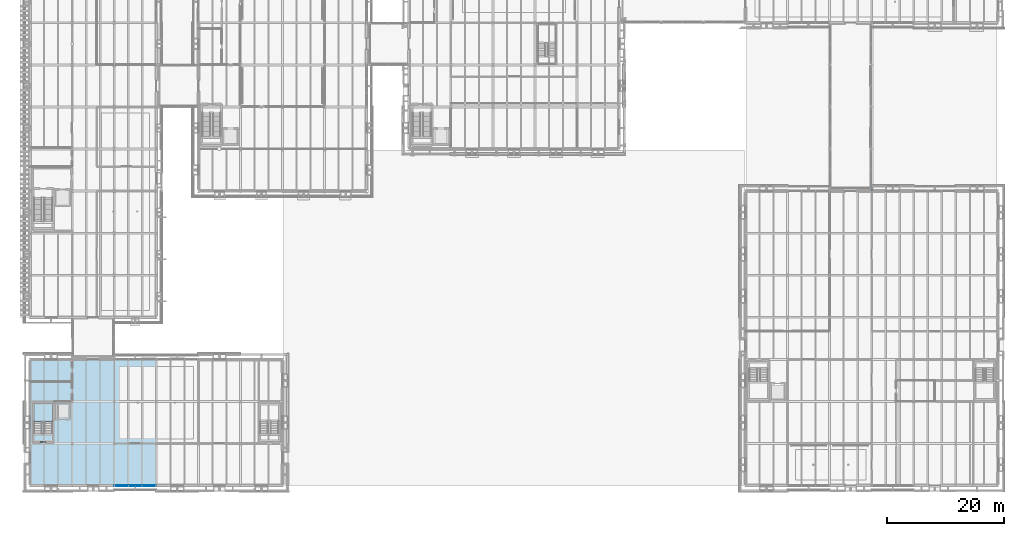
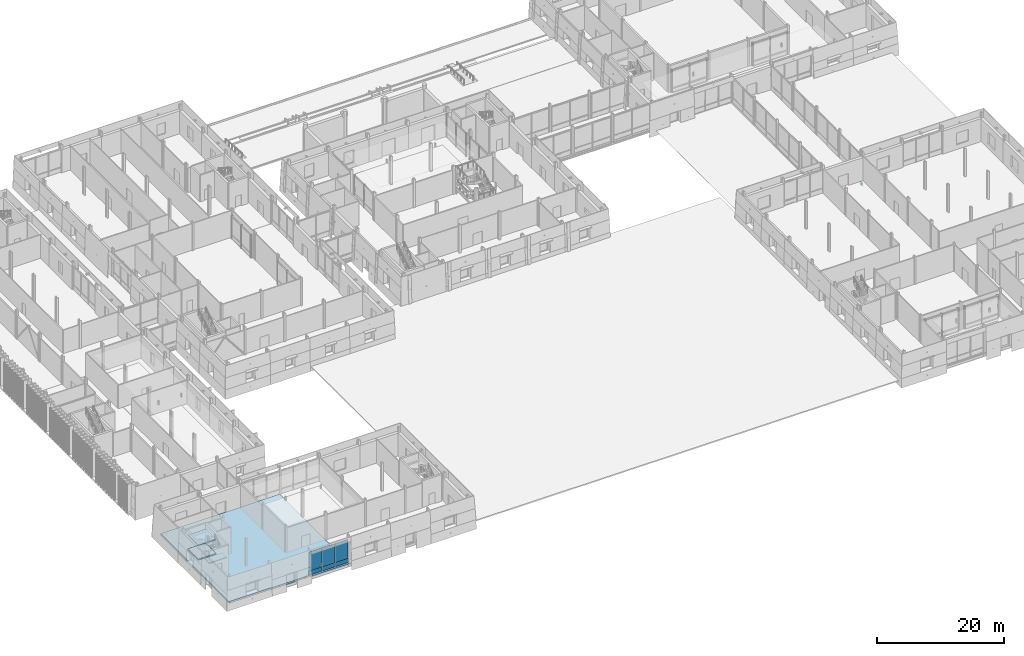
# One storey, part 45 of 120: 6 plates, 4 slabs, 1 beam, 2 elements without a shape of their own.
"""IFC4 building model written with IfcOpenShell, lengths in metres."""

from ifc_helpers import new_model, si_unit, direction, frame, origin, origin_2d, place, context, subcontext, project, spatial, polyline, rectangle, i_section, outline, extrude, material, layer, layer_set, material_profile, profile_set, type_object, element, aggregate, save


model = new_model("IFC4")

# Units and contexts
model_context = context("Model", 3, precision=1e-05, world=origin(), true_north=direction((0.0, 1.0)))
body_context = subcontext(model_context, "Body", "Model", "MODEL_VIEW")
ifc_project = project(units=[si_unit("LENGTHUNIT", "METRE"), si_unit("AREAUNIT", "SQUARE_METRE"), si_unit("VOLUMEUNIT", "CUBIC_METRE"), si_unit("PLANEANGLEUNIT", "RADIAN"), si_unit("MASSUNIT", "GRAM", prefix="KILO")], contexts=[model_context])

# Site, building, storey
site_placement = place(None, origin())
site = spatial("IfcSite", under=ifc_project, at=site_placement, CompositionType="ELEMENT")
building_placement = place(site_placement, origin())
building = spatial("IfcBuilding", under=site, at=building_placement, Name="Narikvali Park Central Library", CompositionType="ELEMENT")
storey_placement = place(building_placement, origin())
storey = spatial("IfcBuildingStorey", under=building, at=storey_placement, Name="L00", CompositionType="ELEMENT", Elevation=0.0)

# Beam
ifc_material_1 = material(Name="Steel S355", Category="steel")
ifc_material_profile = material_profile(ifc_material_1, i_section(OverallWidth=0.300048828125, OverallDepth=0.449951171875, WebThickness=0.013916015625, FlangeThickness=0.02587890625, FilletRadius=0.027099609375, at=origin_2d()), Name="HEB 450")
ifc_profile_set = profile_set([ifc_material_profile], Name="Steel S355")
beam_type = type_object("IfcBeamType", Name="Bridge Sliding Corbel Seat HEB450", PredefinedType="BEAM", material=ifc_profile_set)
beam_placement = place(storey_placement, frame((144.0, 50.39990234375, -0.9150390625), z_axis=(0.0, 1.0, 0.0), x_axis=(-1.0, 0.0, 0.0)))
element("IfcBeam", 1, at=beam_placement, inside=storey, type_object=beam_type, Name="BRG-4 L00 Bridge Sliding Corbel Seat 650 2", PredefinedType="BEAM", context=body_context, shape_type="SweptSolid", body=[
    extrude(i_section(OverallWidth=0.300048828125, OverallDepth=0.449951171875, WebThickness=0.013916015625, FlangeThickness=0.02587890625, FilletRadius=0.027099609375, at=origin_2d()), origin(), (0.0, 0.0, 1.0), 0.650146484375),
])

# Curtain wall, plates
ifc_material_2 = material(Name="Anodised Bronze Aluminium", Category="aluminium")
ifc_layer_1 = layer(ifc_material_2, 0.219970703125, Name="Anodised Bronze Aluminium")
ifc_layer_set_1 = layer_set([ifc_layer_1], Name="Anodised Bronze Aluminium")
curtain_wall_type = type_object("IfcCurtainWallType", Name="Atrium Tall Curtain Wall System", PredefinedType="NOTDEFINED", material=ifc_layer_set_1)
curtain_wall_placement = place(storey_placement, origin())
curtain_wall = element("IfcCurtainWall", 2, at=curtain_wall_placement, inside=storey, type_object=curtain_wall_type, Name="Atrium Tall Curtain Wall System CW-V2-L00-S-03", PredefinedType="NOTDEFINED")
ifc_material_3 = material(Name="Anodised Bronze Acoustic Spandrel Cassette")
ifc_layer_2 = layer(ifc_material_3, 0.1650390625, Name="Anodised Bronze Acoustic Spandrel Cassette")
ifc_layer_set_2 = layer_set([ifc_layer_2], Name="Anodised Bronze Acoustic Spandrel Cassette")
plate_type_1 = type_object("IfcPlateType", Name="Curtain Wall Acoustic Plenum Louvre Cassette 165", PredefinedType="CURTAIN_PANEL", material=ifc_layer_set_2)
plate_1_placement = place(storey_placement, frame((20.374755859375, 0.0, 0.03515625), z_axis=(0.0, 0.0, 1.0), x_axis=(1.0, 0.0, 0.0)))
plate_1 = element("IfcPlate", 3, at=plate_1_placement, type_object=plate_type_1, Name="CW-V2-L00-S-03 Panel 02-0", PredefinedType="CURTAIN_PANEL", context=body_context, shape_type="SweptSolid", body=[
    extrude(rectangle(XDim=2.36474609375, YDim=0.1650390625, at=origin_2d()), origin(), (0.0, 0.0, 1.0), 0.860107421875),
])
ifc_material_4 = material(Name="Anodised Bronze Insulated Spandrel Cassette")
ifc_layer_3 = layer(ifc_material_4, 0.110107421875, Name="Anodised Bronze Insulated Spandrel Cassette")
ifc_layer_set_3 = layer_set([ifc_layer_3], Name="Anodised Bronze Insulated Spandrel Cassette")
plate_type_2 = type_object("IfcPlateType", Name="Curtain Wall Insulated Bronze Spandrel Cassette 110", PredefinedType="CURTAIN_PANEL", material=ifc_layer_set_3)
plate_2_placement = place(storey_placement, frame((15.625244140625, 0.0, 0.03515625), z_axis=(0.0, 0.0, 1.0), x_axis=(1.0, 0.0, 0.0)))
plate_2 = element("IfcPlate", 4, at=plate_2_placement, type_object=plate_type_2, Name="CW-V2-L00-S-03 Panel 00-0", PredefinedType="CURTAIN_PANEL", context=body_context, shape_type="SweptSolid", body=[
    extrude(rectangle(XDim=2.36474609375, YDim=0.110107421875, at=origin_2d()), origin(), (0.0, 0.0, 1.0), 0.860107421875),
])
ifc_material_5 = material(Name="Mineral-Wool Shadow-Box Spandrel Assembly")
ifc_layer_4 = layer(ifc_material_5, 0.139892578125, Name="Mineral-Wool Shadow-Box Spandrel Assembly")
ifc_layer_set_4 = layer_set([ifc_layer_4], Name="Mineral-Wool Shadow-Box Spandrel Assembly")
plate_type_3 = type_object("IfcPlateType", Name="Curtain Wall Shadow-Box Mineral Spandrel Panel 140", PredefinedType="CURTAIN_PANEL", material=ifc_layer_set_4)
plate_3_placement = place(storey_placement, frame((18.0, 0.0, 0.03515625), z_axis=(0.0, 0.0, 1.0), x_axis=(1.0, 0.0, 0.0)))
plate_3 = element("IfcPlate", 5, at=plate_3_placement, type_object=plate_type_3, Name="CW-V2-L00-S-03 Panel 01-0", PredefinedType="CURTAIN_PANEL", context=body_context, shape_type="SweptSolid", body=[
    extrude(rectangle(XDim=2.36474609375, YDim=0.139892578125, at=origin_2d()), origin(), (0.0, 0.0, 1.0), 0.860107421875),
])
ifc_material_6 = material(Name="Triple Low-E Acoustic Laminated Glazing", Category="glass")
ifc_layer_5 = layer(ifc_material_6, 0.048095703125, Name="Triple Low-E Acoustic Laminated Glazing")
ifc_layer_set_5 = layer_set([ifc_layer_5], Name="Triple Low-E Acoustic Laminated Glazing")
plate_type_4 = type_object("IfcPlateType", Name="Curtain Wall Triple Solar-Acoustic Glazing 48", PredefinedType="CURTAIN_PANEL", material=ifc_layer_set_5)
plate_4_placement = place(storey_placement, frame((15.625244140625, 0.0, 0.905029296875), z_axis=(0.0, 0.0, 1.0), x_axis=(1.0, 0.0, 0.0)))
plate_4 = element("IfcPlate", 6, at=plate_4_placement, type_object=plate_type_4, Name="CW-V2-L00-S-03 Panel 00-1", PredefinedType="CURTAIN_PANEL", context=body_context, shape_type="SweptSolid", body=[
    extrude(rectangle(XDim=2.36474609375, YDim=0.048095703125, at=origin_2d()), origin(), (0.0, 0.0, 1.0), 3.56005859375),
])
plate_5_placement = place(storey_placement, frame((18.0, 0.0, 0.905029296875), z_axis=(0.0, 0.0, 1.0), x_axis=(1.0, 0.0, 0.0)))
plate_5 = element("IfcPlate", 7, at=plate_5_placement, type_object=plate_type_4, Name="CW-V2-L00-S-03 Panel 01-1", PredefinedType="CURTAIN_PANEL", context=body_context, shape_type="SweptSolid", body=[
    extrude(rectangle(XDim=2.36474609375, YDim=0.048095703125, at=origin_2d()), origin(), (0.0, 0.0, 1.0), 3.56005859375),
])
plate_6_placement = place(storey_placement, frame((20.374755859375, 0.0, 0.905029296875), z_axis=(0.0, 0.0, 1.0), x_axis=(1.0, 0.0, 0.0)))
plate_6 = element("IfcPlate", 8, at=plate_6_placement, type_object=plate_type_4, Name="CW-V2-L00-S-03 Panel 02-1", PredefinedType="CURTAIN_PANEL", context=body_context, shape_type="SweptSolid", body=[
    extrude(rectangle(XDim=2.36474609375, YDim=0.048095703125, at=origin_2d()), origin(), (0.0, 0.0, 1.0), 3.56005859375),
])
aggregate(curtain_wall, [plate_2, plate_4, plate_3, plate_5, plate_1, plate_6])

# Slab
ifc_material_7 = material(Name="Concrete C35/45", Category="concrete")
ifc_layer_6 = layer(ifc_material_7, 0.320068359375, Name="Concrete C35/45")
ifc_layer_set_6 = layer_set([ifc_layer_6], Name="Concrete C35/45")
slab_type_1 = type_object("IfcSlabType", Name="Ground Plinth Composite Slab 320", PredefinedType="FLOOR", material=ifc_layer_set_6)
slab_1_placement = place(storey_placement, frame((0.0, 0.0, -0.320068359375)))
element("IfcSlab", 9, at=slab_1_placement, inside=storey, type_object=slab_type_1, Name="V2 L00 Structural Slab Panel 1", PredefinedType="FLOOR", context=body_context, shape_type="SweptSolid", body=[
    extrude(outline(polyline([(0.0, 0.0), (21.60009765625, 0.0), (21.60009765625, 21.60009765625), (0.0, 21.60009765625), (0.0, 0.0)])), origin(), (0.0, 0.0, 1.0), 0.320068359375),
])

# Stair, slabs
stair_type = type_object("IfcStairType", Name="Core Enclosed Two-Flight Exit Stair", PredefinedType="HALF_TURN_STAIR", material=ifc_material_7)
stair_placement = place(storey_placement, origin())
stair = element("IfcStair", 10, at=stair_placement, inside=storey, type_object=stair_type, Name="L00 Exit Stair ST-03", PredefinedType="HALF_TURN_STAIR")
ifc_layer_7 = layer(ifc_material_7, 0.199951171875, Name="Concrete C35/45")
ifc_layer_set_7 = layer_set([ifc_layer_7], Name="Concrete C35/45")
slab_type_2 = type_object("IfcSlabType", Name="Stair Half-Landing Concrete Slab 200", PredefinedType="LANDING", material=ifc_layer_set_7)
slab_2_placement = place(storey_placement, frame((0.0, 0.0, 1.14990234375)))
slab_2 = element("IfcSlab", 11, at=slab_2_placement, type_object=slab_type_2, Name="ST-03 landing 1", PredefinedType="LANDING", context=body_context, shape_type="SweptSolid", body=[
    extrude(outline(polyline([(3.85009765625, 10.89501953125), (3.85009765625, 14.14990234375), (0.64990234375, 14.14990234375), (0.64990234375, 10.89501953125), (3.85009765625, 10.89501953125)])), origin(), (0.0, 0.0, 1.0), 0.2001953125),
])
slab_3_placement = place(storey_placement, frame((0.0, 0.0, 2.5)))
slab_3 = element("IfcSlab", 12, at=slab_3_placement, type_object=slab_type_2, Name="ST-03 landing 2", PredefinedType="LANDING", context=body_context, shape_type="SweptSolid", body=[
    extrude(outline(polyline([(3.85009765625, 7.449951171875), (3.85009765625, 8.89990234375), (0.64990234375, 8.89990234375), (0.64990234375, 7.449951171875), (3.85009765625, 7.449951171875)])), origin(), (0.0, 0.0, 1.0), 0.199951171875),
])
slab_4_placement = place(storey_placement, frame((0.0, 0.0, 3.85009765625)))
slab_4 = element("IfcSlab", 13, at=slab_4_placement, type_object=slab_type_2, Name="ST-03 landing 3", PredefinedType="LANDING", context=body_context, shape_type="SweptSolid", body=[
    extrude(outline(polyline([(3.85009765625, 10.89501953125), (3.85009765625, 14.14990234375), (0.64990234375, 14.14990234375), (0.64990234375, 10.89501953125), (3.85009765625, 10.89501953125)])), origin(), (0.0, 0.0, 1.0), 0.199951171875),
])
aggregate(stair, [slab_2, slab_3, slab_4])

save(model, "model.ifc")
